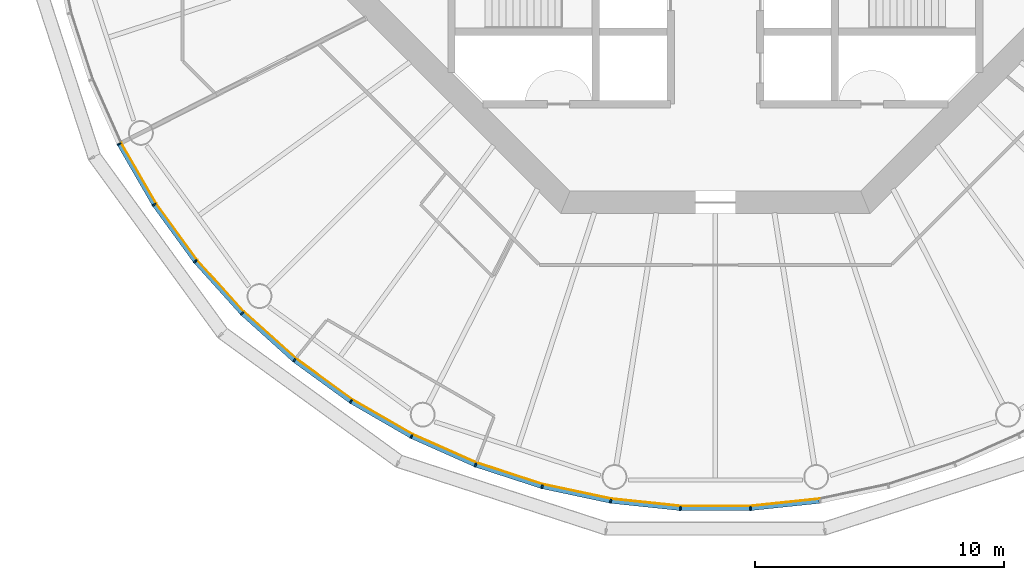
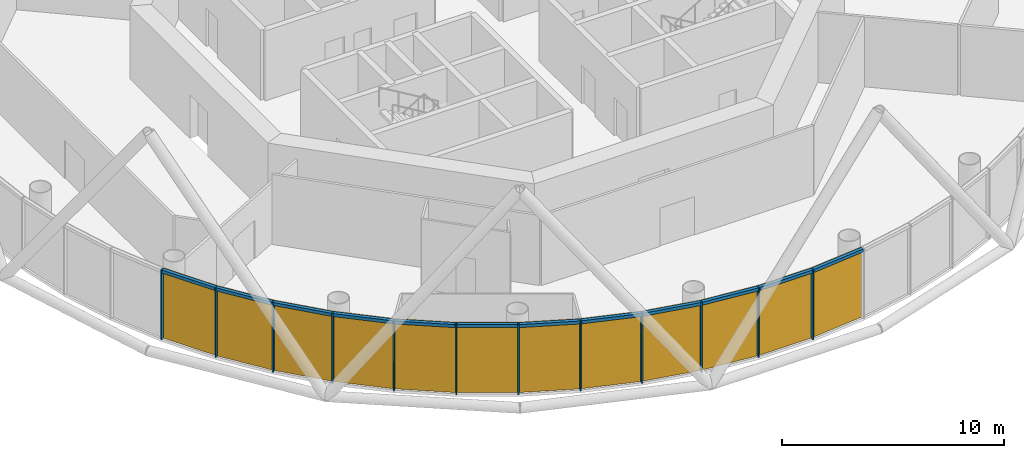
# One storey, part 6 of 12: 24 members, 4 curtain walls.
"""IFC4 building model written with IfcOpenShell, lengths in metres."""

from ifc_helpers import new_model, si_unit, direction, frame, origin, origin_2d, place, context, subcontext, project, spatial, polyline, rectangle, outline, extrude, material, layer, layer_set, material_profile, profile_set, type_object, element, aggregate, save


model = new_model("IFC4")

# Units and contexts
model_context = context("Model", 3, precision=1e-05, world=origin(), true_north=direction((0.0, 1.0)))
body_context = subcontext(model_context, "Body", "Model", "MODEL_VIEW")
ifc_project = project(units=[si_unit("LENGTHUNIT", "METRE"), si_unit("AREAUNIT", "SQUARE_METRE"), si_unit("VOLUMEUNIT", "CUBIC_METRE"), si_unit("PLANEANGLEUNIT", "RADIAN"), si_unit("MASSUNIT", "GRAM", prefix="KILO")], contexts=[model_context])

# Member
ifc_material_1 = material(Name="Anodised aluminium", Category="aluminium")
ifc_material_profile_1 = material_profile(ifc_material_1, rectangle(XDim=0.06005859375, YDim=0.169921875, at=origin_2d()), Name="Mullion 60 x 170 mm anodised aluminium")
ifc_profile_set_1 = profile_set([ifc_material_profile_1], Name="Anodised aluminium")
member_type_1 = type_object("IfcMemberType", Name="Mullion 60 x 170 mm anodised aluminium", PredefinedType="MULLION", material=ifc_profile_set_1)
site_placement = place(None, origin())
building_placement = place(site_placement, origin())
storey_placement = place(building_placement, frame((0.0, 0.0, 206.0)))
member_1_placement = place(storey_placement, frame((66.04541015625, 67.79443359375, 0.0), z_axis=(0.0, 0.0, 1.0), x_axis=(0.45399049974, -0.891006524188, 0.0)))
member_1 = element("IfcMember", 1, at=member_1_placement, type_object=member_type_1, Name="MULLION L47-33", PredefinedType="MULLION", context=body_context, shape_type="SweptSolid", body=[
    extrude(rectangle(XDim=0.06005859375, YDim=0.169921875, at=origin_2d()), origin(), (0.0, 0.0, 1.0), 3.85009765625),
])

member_2_placement = place(storey_placement, frame((67.452392578125, 65.357421875, 0.0), z_axis=(0.0, 0.0, 1.0), x_axis=(0.544639035015, -0.838670567945, 0.0)))
member_2 = element("IfcMember", 2, at=member_2_placement, type_object=member_type_1, Name="MULLION L47-34", PredefinedType="MULLION", context=body_context, shape_type="SweptSolid", body=[
    extrude(rectangle(XDim=0.06005859375, YDim=0.169921875, at=origin_2d()), origin(), (0.0, 0.0, 1.0), 3.85009765625),
])

member_3_placement = place(storey_placement, frame((69.1064453125, 63.080810546875, 0.0), z_axis=(0.0, 0.0, 1.0), x_axis=(0.62932039105, -0.777145961457, 0.0)))
member_3 = element("IfcMember", 3, at=member_3_placement, type_object=member_type_1, Name="MULLION L47-35", PredefinedType="MULLION", context=body_context, shape_type="SweptSolid", body=[
    extrude(rectangle(XDim=0.06005859375, YDim=0.169921875, at=origin_2d()), origin(), (0.0, 0.0, 1.0), 3.85009765625),
])

member_4_placement = place(storey_placement, frame((70.989501953125, 60.989501953125, 0.0), z_axis=(0.0, 0.0, 1.0), x_axis=(0.707106781187, -0.707106781187, 0.0)))
member_4 = element("IfcMember", 4, at=member_4_placement, type_object=member_type_1, Name="MULLION L47-36", PredefinedType="MULLION", context=body_context, shape_type="SweptSolid", body=[
    extrude(rectangle(XDim=0.06005859375, YDim=0.169921875, at=origin_2d()), origin(), (0.0, 0.0, 1.0), 3.85009765625),
])

member_5_placement = place(storey_placement, frame((73.080810546875, 59.1064453125, 0.0), z_axis=(0.0, 0.0, 1.0), x_axis=(0.777145961457, -0.62932039105, 0.0)))
member_5 = element("IfcMember", 5, at=member_5_placement, type_object=member_type_1, Name="MULLION L47-37", PredefinedType="MULLION", context=body_context, shape_type="SweptSolid", body=[
    extrude(rectangle(XDim=0.06005859375, YDim=0.169921875, at=origin_2d()), origin(), (0.0, 0.0, 1.0), 3.85009765625),
])

member_6_placement = place(storey_placement, frame((75.357421875, 57.452392578125, 0.0), z_axis=(0.0, 0.0, 1.0), x_axis=(0.838670567945, -0.544639035015, 0.0)))
member_6 = element("IfcMember", 6, at=member_6_placement, type_object=member_type_1, Name="MULLION L47-38", PredefinedType="MULLION", context=body_context, shape_type="SweptSolid", body=[
    extrude(rectangle(XDim=0.06005859375, YDim=0.169921875, at=origin_2d()), origin(), (0.0, 0.0, 1.0), 3.85009765625),
])

member_7_placement = place(storey_placement, frame((77.79443359375, 56.04541015625, 0.0), z_axis=(0.0, 0.0, 1.0), x_axis=(0.891006524188, -0.45399049974, 0.0)))
member_7 = element("IfcMember", 7, at=member_7_placement, type_object=member_type_1, Name="MULLION L47-39", PredefinedType="MULLION", context=body_context, shape_type="SweptSolid", body=[
    extrude(rectangle(XDim=0.06005859375, YDim=0.169921875, at=origin_2d()), origin(), (0.0, 0.0, 1.0), 3.85009765625),
])

member_8_placement = place(storey_placement, frame((80.365234375, 54.900634765625, 0.0), z_axis=(0.0, 0.0, 1.0), x_axis=(0.933580426497, -0.358367949545, 0.0)))
member_8 = element("IfcMember", 8, at=member_8_placement, type_object=member_type_1, Name="MULLION L47-40", PredefinedType="MULLION", context=body_context, shape_type="SweptSolid", body=[
    extrude(rectangle(XDim=0.06005859375, YDim=0.169921875, at=origin_2d()), origin(), (0.0, 0.0, 1.0), 3.85009765625),
])

member_9_placement = place(storey_placement, frame((83.041748046875, 54.031005859375, 0.0), z_axis=(0.0, 0.0, 1.0), x_axis=(0.965925826289, -0.258819045103, 0.0)))
member_9 = element("IfcMember", 9, at=member_9_placement, type_object=member_type_1, Name="MULLION L47-41", PredefinedType="MULLION", context=body_context, shape_type="SweptSolid", body=[
    extrude(rectangle(XDim=0.06005859375, YDim=0.169921875, at=origin_2d()), origin(), (0.0, 0.0, 1.0), 3.85009765625),
])

member_10_placement = place(storey_placement, frame((85.794189453125, 53.446044921875, 0.0), z_axis=(0.0, 0.0, 1.0), x_axis=(0.987688340595, -0.15643446504, 0.0)))
member_10 = element("IfcMember", 10, at=member_10_placement, type_object=member_type_1, Name="MULLION L47-42", PredefinedType="MULLION", context=body_context, shape_type="SweptSolid", body=[
    extrude(rectangle(XDim=0.06005859375, YDim=0.169921875, at=origin_2d()), origin(), (0.0, 0.0, 1.0), 3.85009765625),
])

member_11_placement = place(storey_placement, frame((88.593017578125, 53.15185546875, 0.0), z_axis=(0.0, 0.0, 1.0), x_axis=(0.998629534755, -0.052335956243, 0.0)))
member_11 = element("IfcMember", 11, at=member_11_placement, type_object=member_type_1, Name="MULLION L47-43", PredefinedType="MULLION", context=body_context, shape_type="SweptSolid", body=[
    extrude(rectangle(XDim=0.06005859375, YDim=0.169921875, at=origin_2d()), origin(), (0.0, 0.0, 1.0), 3.85009765625),
])

member_12_placement = place(storey_placement, frame((91.406982421875, 53.15185546875, 0.0), z_axis=(0.0, 0.0, 1.0), x_axis=(0.998629534755, 0.052335956243, 0.0)))
member_12 = element("IfcMember", 12, at=member_12_placement, type_object=member_type_1, Name="MULLION L47-44", PredefinedType="MULLION", context=body_context, shape_type="SweptSolid", body=[
    extrude(rectangle(XDim=0.06005859375, YDim=0.169921875, at=origin_2d()), origin(), (0.0, 0.0, 1.0), 3.85009765625),
])

ifc_material_2 = material(Name="Anodised aluminium", Category="aluminium")
ifc_material_profile_2 = material_profile(ifc_material_2, rectangle(XDim=0.169921875, YDim=0.1650390625, at=origin_2d()), Name="Transom 165 x 170 mm anodised aluminium")
ifc_profile_set_2 = profile_set([ifc_material_profile_2], Name="Anodised aluminium")
member_type_2 = type_object("IfcMemberType", Name="Transom 165 x 170 mm anodised aluminium", PredefinedType="USERDEFINED", material=ifc_profile_set_2)
member_13_placement = place(storey_placement, frame((66.0625, 67.7646484375, 3.767578125), z_axis=(0.49998419723, -0.866034527326, 0.0), x_axis=(0.866034527326, 0.49998419723, 0.0)))
member_13 = element("IfcMember", 13, at=member_13_placement, type_object=member_type_2, Name="TRANSOM L47-33", ObjectType="TRANSOM", PredefinedType="USERDEFINED", context=body_context, shape_type="SweptSolid", body=[
    extrude(rectangle(XDim=0.169921875, YDim=0.1650390625, at=origin_2d()), origin(), (0.0, 0.0, 1.0), 2.7451171875),
])

member_14_placement = place(storey_placement, frame((67.472412109375, 65.329345703125, 3.767578125), z_axis=(0.587864947412, -0.808959086484, 0.0), x_axis=(0.808959086484, 0.587864947412, 0.0)))
member_14 = element("IfcMember", 14, at=member_14_placement, type_object=member_type_2, Name="TRANSOM L47-34", ObjectType="TRANSOM", PredefinedType="USERDEFINED", context=body_context, shape_type="SweptSolid", body=[
    extrude(rectangle(XDim=0.169921875, YDim=0.1650390625, at=origin_2d()), origin(), (0.0, 0.0, 1.0), 2.7451171875),
])

member_15_placement = place(storey_placement, frame((69.12939453125, 63.054931640625, 3.767578125), z_axis=(0.669141598561, -0.743134927907, 0.0), x_axis=(0.743134927907, 0.669141598561, 0.0)))
member_15 = element("IfcMember", 15, at=member_15_placement, type_object=member_type_2, Name="TRANSOM L47-35", ObjectType="TRANSOM", PredefinedType="USERDEFINED", context=body_context, shape_type="SweptSolid", body=[
    extrude(rectangle(XDim=0.169921875, YDim=0.1650390625, at=origin_2d()), origin(), (0.0, 0.0, 1.0), 2.7451171875),
])

member_16_placement = place(storey_placement, frame((71.014892578125, 60.96630859375, 3.767578125), z_axis=(0.743134927907, -0.669141598561, 0.0), x_axis=(0.669141598561, 0.743134927907, 0.0)))
member_16 = element("IfcMember", 16, at=member_16_placement, type_object=member_type_2, Name="TRANSOM L47-36", ObjectType="TRANSOM", PredefinedType="USERDEFINED", context=body_context, shape_type="SweptSolid", body=[
    extrude(rectangle(XDim=0.169921875, YDim=0.1650390625, at=origin_2d()), origin(), (0.0, 0.0, 1.0), 2.7451171875),
])

member_17_placement = place(storey_placement, frame((73.108642578125, 59.086181640625, 3.767578125), z_axis=(0.808959086484, -0.587864947412, 0.0), x_axis=(0.587864947412, 0.808959086484, 0.0)))
member_17 = element("IfcMember", 17, at=member_17_placement, type_object=member_type_2, Name="TRANSOM L47-37", ObjectType="TRANSOM", PredefinedType="USERDEFINED", context=body_context, shape_type="SweptSolid", body=[
    extrude(rectangle(XDim=0.169921875, YDim=0.1650390625, at=origin_2d()), origin(), (0.0, 0.0, 1.0), 2.7451171875),
])

member_18_placement = place(storey_placement, frame((75.38720703125, 57.43505859375, 3.767578125), z_axis=(0.866034527326, -0.49998419723, 0.0), x_axis=(0.49998419723, 0.866034527326, 0.0)))
member_18 = element("IfcMember", 18, at=member_18_placement, type_object=member_type_2, Name="TRANSOM L47-38", ObjectType="TRANSOM", PredefinedType="USERDEFINED", context=body_context, shape_type="SweptSolid", body=[
    extrude(rectangle(XDim=0.169921875, YDim=0.1650390625, at=origin_2d()), origin(), (0.0, 0.0, 1.0), 2.7451171875),
])

member_19_placement = place(storey_placement, frame((77.825927734375, 56.03125, 3.767578125), z_axis=(0.913525267704, -0.406781987391, 0.0), x_axis=(0.406781987391, 0.913525267704, 0.0)))
member_19 = element("IfcMember", 19, at=member_19_placement, type_object=member_type_2, Name="TRANSOM L47-39", ObjectType="TRANSOM", PredefinedType="USERDEFINED", context=body_context, shape_type="SweptSolid", body=[
    extrude(rectangle(XDim=0.169921875, YDim=0.1650390625, at=origin_2d()), origin(), (0.0, 0.0, 1.0), 2.7451171875),
])

member_20_placement = place(storey_placement, frame((80.39794921875, 54.889892578125, 3.767578125), z_axis=(0.951048445774, -0.309041831781, 0.0), x_axis=(0.309041831781, 0.951048445774, 0.0)))
member_20 = element("IfcMember", 20, at=member_20_placement, type_object=member_type_2, Name="TRANSOM L47-40", ObjectType="TRANSOM", PredefinedType="USERDEFINED", context=body_context, shape_type="SweptSolid", body=[
    extrude(rectangle(XDim=0.169921875, YDim=0.1650390625, at=origin_2d()), origin(), (0.0, 0.0, 1.0), 2.7451171875),
])

member_21_placement = place(storey_placement, frame((83.075439453125, 54.02392578125, 3.767578125), z_axis=(0.97814212115, -0.207937468562, 0.0), x_axis=(0.207937468562, 0.97814212115, 0.0)))
member_21 = element("IfcMember", 21, at=member_21_placement, type_object=member_type_2, Name="TRANSOM L47-41", ObjectType="TRANSOM", PredefinedType="USERDEFINED", context=body_context, shape_type="SweptSolid", body=[
    extrude(rectangle(XDim=0.169921875, YDim=0.1650390625, at=origin_2d()), origin(), (0.0, 0.0, 1.0), 2.7451171875),
])

member_22_placement = place(storey_placement, frame((85.82861328125, 53.4423828125, 3.767578125), z_axis=(0.994515195344, -0.104592190102, 0.0), x_axis=(0.104592190102, 0.994515195344, 0.0)))
member_22 = element("IfcMember", 22, at=member_22_placement, type_object=member_type_2, Name="TRANSOM L47-42", ObjectType="TRANSOM", PredefinedType="USERDEFINED", context=body_context, shape_type="SweptSolid", body=[
    extrude(rectangle(XDim=0.169921875, YDim=0.1650390625, at=origin_2d()), origin(), (0.0, 0.0, 1.0), 2.7451171875),
])

member_23_placement = place(storey_placement, frame((88.62744140625, 53.151611328125, 3.767578125), z_axis=(1.0, 0.0, 0.0), x_axis=(0.0, 1.0, 0.0)))
member_23 = element("IfcMember", 23, at=member_23_placement, type_object=member_type_2, Name="TRANSOM L47-43", ObjectType="TRANSOM", PredefinedType="USERDEFINED", context=body_context, shape_type="SweptSolid", body=[
    extrude(rectangle(XDim=0.169921875, YDim=0.1650390625, at=origin_2d()), origin(), (0.0, 0.0, 1.0), 2.7451171875),
])

member_24_placement = place(storey_placement, frame((91.44140625, 53.1552734375, 3.767578125), z_axis=(0.994515195344, 0.104592190102, 0.0), x_axis=(-0.104592190102, 0.994515195344, 0.0)))
member_24 = element("IfcMember", 24, at=member_24_placement, type_object=member_type_2, Name="TRANSOM L47-44", ObjectType="TRANSOM", PredefinedType="USERDEFINED", context=body_context, shape_type="SweptSolid", body=[
    extrude(rectangle(XDim=0.169921875, YDim=0.1650390625, at=origin_2d()), origin(), (0.0, 0.0, 1.0), 2.7451171875),
])

# Site, building, storey
site = spatial("IfcSite", under=ifc_project, at=site_placement, CompositionType="ELEMENT")
building = spatial("IfcBuilding", under=site, at=building_placement, Name="Entoto Ring Tower", CompositionType="ELEMENT")
storey = spatial("IfcBuildingStorey", under=building, at=storey_placement, Name="L47", CompositionType="ELEMENT", Elevation=206.0)

# Curtain wall
ifc_material_3 = material(Name="Clear low-iron glass", Category="glass")
ifc_layer = layer(ifc_material_3, 0.031982421875)
ifc_layer_set = layer_set([ifc_layer], Name="Clear low-iron glass")
curtain_wall_type = type_object("IfcCurtainWallType", Name="Curtain wall system CW4 glazing 32 mm", PredefinedType="NOTDEFINED", material=ifc_layer_set)
curtain_wall_1_placement = place(storey_placement, origin())
curtain_wall_1 = element("IfcCurtainWall", 25, at=curtain_wall_1_placement, inside=storey, type_object=curtain_wall_type, Name="CW4 L47-12", PredefinedType="NOTDEFINED", context=body_context, shape_type="SweptSolid", body=[
    extrude(outline(polyline([(66.12109375, 67.8330078125), (67.523681640625, 65.403564453125), (69.172607421875, 63.13427734375), (71.049560546875, 61.049560546875), (71.072265625, 61.072265625), (69.197509765625, 63.154296875), (67.550537109375, 65.421142578125), (66.149658203125, 67.84765625), (66.12109375, 67.8330078125)])), origin(), (0.0, 0.0, 1.0), 3.85009765625),
])

aggregate(curtain_wall_1, [member_1, member_2, member_3, member_13, member_14, member_15])

curtain_wall_2_placement = place(storey_placement, origin())
curtain_wall_2 = element("IfcCurtainWall", 26, at=curtain_wall_2_placement, inside=storey, type_object=curtain_wall_type, Name="CW4 L47-13", PredefinedType="NOTDEFINED", context=body_context, shape_type="SweptSolid", body=[
    extrude(outline(polyline([(71.049560546875, 61.049560546875), (73.13427734375, 59.172607421875), (75.403564453125, 57.523681640625), (77.8330078125, 56.12109375), (77.84765625, 56.149658203125), (75.421142578125, 57.550537109375), (73.154296875, 59.197509765625), (71.072265625, 61.072265625), (71.049560546875, 61.049560546875)])), origin(), (0.0, 0.0, 1.0), 3.85009765625),
])

aggregate(curtain_wall_2, [member_4, member_5, member_6, member_16, member_17, member_18])

curtain_wall_3_placement = place(storey_placement, origin())
curtain_wall_3 = element("IfcCurtainWall", 27, at=curtain_wall_3_placement, inside=storey, type_object=curtain_wall_type, Name="CW4 L47-14", PredefinedType="NOTDEFINED", context=body_context, shape_type="SweptSolid", body=[
    extrude(outline(polyline([(77.8330078125, 56.12109375), (80.395751953125, 54.97998046875), (83.063720703125, 54.11328125), (85.8076171875, 53.530029296875), (85.8125, 53.5615234375), (83.072021484375, 54.14404296875), (80.4072265625, 55.010009765625), (77.84765625, 56.149658203125), (77.8330078125, 56.12109375)])), origin(), (0.0, 0.0, 1.0), 3.85009765625),
])

aggregate(curtain_wall_3, [member_7, member_8, member_9, member_19, member_20, member_21])

curtain_wall_4_placement = place(storey_placement, origin())
curtain_wall_4 = element("IfcCurtainWall", 28, at=curtain_wall_4_placement, inside=storey, type_object=curtain_wall_type, Name="CW4 L47-15", PredefinedType="NOTDEFINED", context=body_context, shape_type="SweptSolid", body=[
    extrude(outline(polyline([(85.8076171875, 53.530029296875), (88.597412109375, 53.23681640625), (91.402587890625, 53.23681640625), (94.1923828125, 53.530029296875), (94.1875, 53.5615234375), (91.40087890625, 53.268798828125), (88.59912109375, 53.268798828125), (85.8125, 53.5615234375), (85.8076171875, 53.530029296875)])), origin(), (0.0, 0.0, 1.0), 3.85009765625),
])

aggregate(curtain_wall_4, [member_10, member_11, member_12, member_22, member_23, member_24])

save(model, "model.ifc")
